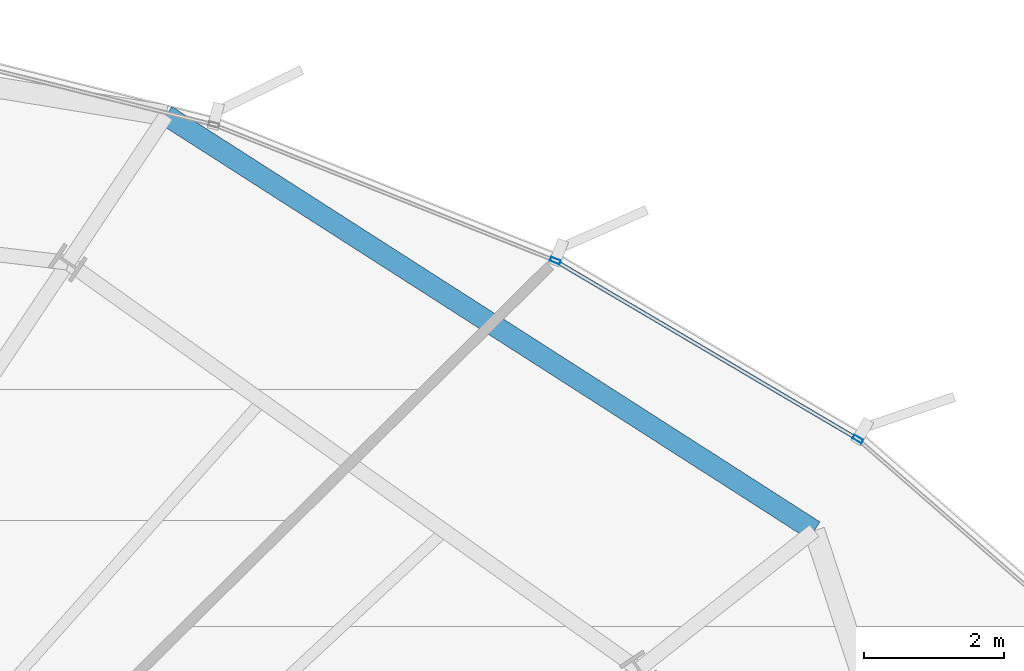
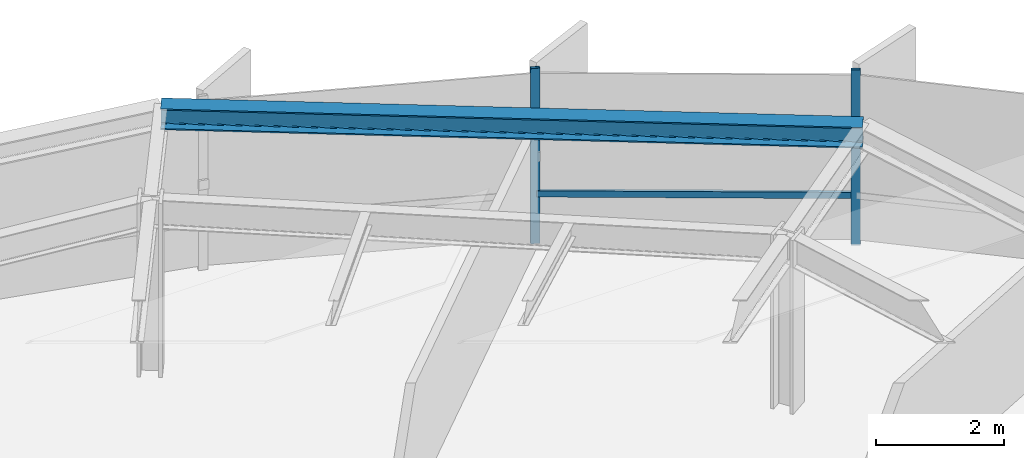
# One storey, part 25 of 35: 3 members, 1 beam, 1 element without a shape of its own.
"""IFC4 building model written with IfcOpenShell, lengths in metres."""

from ifc_helpers import new_model, si_unit, direction, frame, origin, origin_2d, place, context, subcontext, project, spatial, hollow_rectangle, i_section, extrude, source, transform, mapped, material, layer, layer_set, material_profile, profile_set, type_object, element, aggregate, save


model = new_model("IFC4")

# Units and contexts
model_context = context("Model", 3, precision=1e-05, world=origin(), true_north=direction((0.0, 1.0)))
body_context = subcontext(model_context, "Body", "Model", "MODEL_VIEW")
ifc_project = project(units=[si_unit("LENGTHUNIT", "METRE"), si_unit("AREAUNIT", "SQUARE_METRE"), si_unit("VOLUMEUNIT", "CUBIC_METRE"), si_unit("PLANEANGLEUNIT", "RADIAN"), si_unit("MASSUNIT", "GRAM", prefix="KILO"), si_unit("THERMODYNAMICTEMPERATUREUNIT", "KELVIN")], contexts=[model_context])

# Site, building, storey
site_placement = place(None, origin())
site = spatial("IfcSite", under=ifc_project, at=site_placement, CompositionType="ELEMENT")
building_placement = place(site_placement, origin())
building = spatial("IfcBuilding", under=site, at=building_placement, Name="Kethvar Cultural Tower", CompositionType="ELEMENT")
storey_placement = place(building_placement, frame((0.0, 0.0, 85.60009765625)))
storey = spatial("IfcBuildingStorey", under=building, at=storey_placement, Name="L20", CompositionType="ELEMENT", Elevation=85.60009765625)

# Beam
ifc_material_1 = material(Name="Steel S355J2", Category="steel")
ifc_material_profile_1 = material_profile(ifc_material_1, i_section(OverallWidth=0.300048828125, OverallDepth=0.39990234375, WebThickness=0.013427734375, FlangeThickness=0.02392578125, FilletRadius=0.027099609375, at=origin_2d()), Name="Steel S355J2 — HEB400")
ifc_profile_set_1 = profile_set([ifc_material_profile_1], Name="Steel S355J2 — HEB400")
beam_type = type_object("IfcBeamType", Name="BM-SP400", PredefinedType="SPANDREL", material=ifc_profile_set_1)
shared_shape_1 = source(origin(), body_context, "Body", "SweptSolid", [
    extrude(i_section(OverallWidth=0.300048828125, OverallDepth=0.39990234375, WebThickness=0.013427734375, FlangeThickness=0.02392578125, FilletRadius=0.027099609375, at=origin_2d()), origin(), (0.0, 0.0, 1.0), 11.006591796875),
])
beam_placement = place(storey_placement, frame((71.07958984375, 44.3291015625, 3.14794921875), z_axis=(-0.841993332971, 0.539487930572, 0.0), x_axis=(-0.539487930572, -0.841993332971, 0.0)))
element("IfcBeam", 1, at=beam_placement, inside=storey, type_object=beam_type, Name="L20 Perimeter Spandrel Beam SP-02", PredefinedType="SPANDREL", context=body_context, shape_type="MappedRepresentation", body=[
    mapped(shared_shape_1, transform((0.0, 0.0, 0.0), scale=1.0)),
])

# Curtain wall, members
ifc_material_2 = material(Name="Aluminium 6063-T6", Category="aluminium")
ifc_layer = layer(ifc_material_2, 0.179931640625, Name="Aluminium 6063-T6", Category="aluminium")
ifc_layer_set = layer_set([ifc_layer], Name="Aluminium 6063-T6 (180 mm)")
curtain_wall_type = type_object("IfcCurtainWallType", Name="CW-SYS-03-Z2", PredefinedType="NOTDEFINED", material=ifc_layer_set)
curtain_wall_placement = place(storey_placement, origin())
curtain_wall = element("IfcCurtainWall", 2, at=curtain_wall_placement, inside=storey, type_object=curtain_wall_type, Name="L20 Curtain Wall Run 01", PredefinedType="NOTDEFINED")
ifc_material_profile_2 = material_profile(ifc_material_2, hollow_rectangle(XDim=0.06005859375, YDim=0.14990234375, WallThickness=0.0048828125, at=origin_2d()), Name="Aluminium 6063-T6 — RHS150x60x5")
ifc_profile_set_2 = profile_set([ifc_material_profile_2], Name="Aluminium 6063-T6 — RHS150x60x5")
member_type_1 = type_object("IfcMemberType", Name="CW-SYS-03-Z2-MUL", PredefinedType="MULLION", material=ifc_profile_set_2)
shared_shape_2 = source(origin(), body_context, "Body", "SweptSolid", [
    extrude(hollow_rectangle(XDim=0.06005859375, YDim=0.14990234375, WallThickness=0.0048828125, at=origin_2d()), origin(), (0.0, 0.0, 1.0), 3.349853515625),
])
member_1_placement = place(storey_placement, frame((71.7021484375, 45.6376953125, 0.0), z_axis=(0.0, 0.0, 1.0), x_axis=(-0.507688737887, -0.861540565163, 0.0)))
member_1 = element("IfcMember", 3, at=member_1_placement, type_object=member_type_1, Name="CW-L20-R01 Mullion 4", PredefinedType="MULLION", context=body_context, shape_type="MappedRepresentation", body=[
    mapped(shared_shape_2, transform((0.0, 0.0, 0.0), scale=1.0)),
])
member_2_placement = place(storey_placement, frame((67.376220703125, 48.1884765625, 0.0), z_axis=(0.0, 0.0, 1.0), x_axis=(-0.36997377615, -0.929042197622, 0.0)))
member_2 = element("IfcMember", 4, at=member_2_placement, type_object=member_type_1, Name="CW-L20-R01 Mullion 5", PredefinedType="MULLION", context=body_context, shape_type="MappedRepresentation", body=[
    mapped(shared_shape_2, transform((0.0, 0.0, 0.0), scale=1.0)),
])
ifc_material_profile_3 = material_profile(ifc_material_2, hollow_rectangle(XDim=0.054931640625, YDim=0.1201171875, WallThickness=0.00390625, at=origin_2d()), Name="Aluminium 6063-T6 — RHS120x55x4")
ifc_profile_set_3 = profile_set([ifc_material_profile_3], Name="Aluminium 6063-T6 — RHS120x55x4")
member_type_2 = type_object("IfcMemberType", Name="CW-SYS-03-Z2-TRN", PredefinedType="USERDEFINED", material=ifc_profile_set_3)
shared_shape_3 = source(origin(), body_context, "Body", "SweptSolid", [
    extrude(hollow_rectangle(XDim=0.054931640625, YDim=0.1201171875, WallThickness=0.00390625, at=origin_2d()), origin(), (0.0, 0.0, 1.0), 4.953125),
])
member_3_placement = place(storey_placement, frame((71.6650390625, 45.65966796875, 0.949951171875), z_axis=(-0.861541156439, 0.5076877345, 0.0), x_axis=(-0.5076877345, -0.861541156439, 0.0)))
member_3 = element("IfcMember", 5, at=member_3_placement, type_object=member_type_2, Name="CW-L20-R01 Transom 4", ObjectType="TRANSOM", PredefinedType="USERDEFINED", context=body_context, shape_type="MappedRepresentation", body=[
    mapped(shared_shape_3, transform((0.0, 0.0, 0.0), scale=1.0)),
])
aggregate(curtain_wall, [member_1, member_2, member_3])

save(model, "model.ifc")
